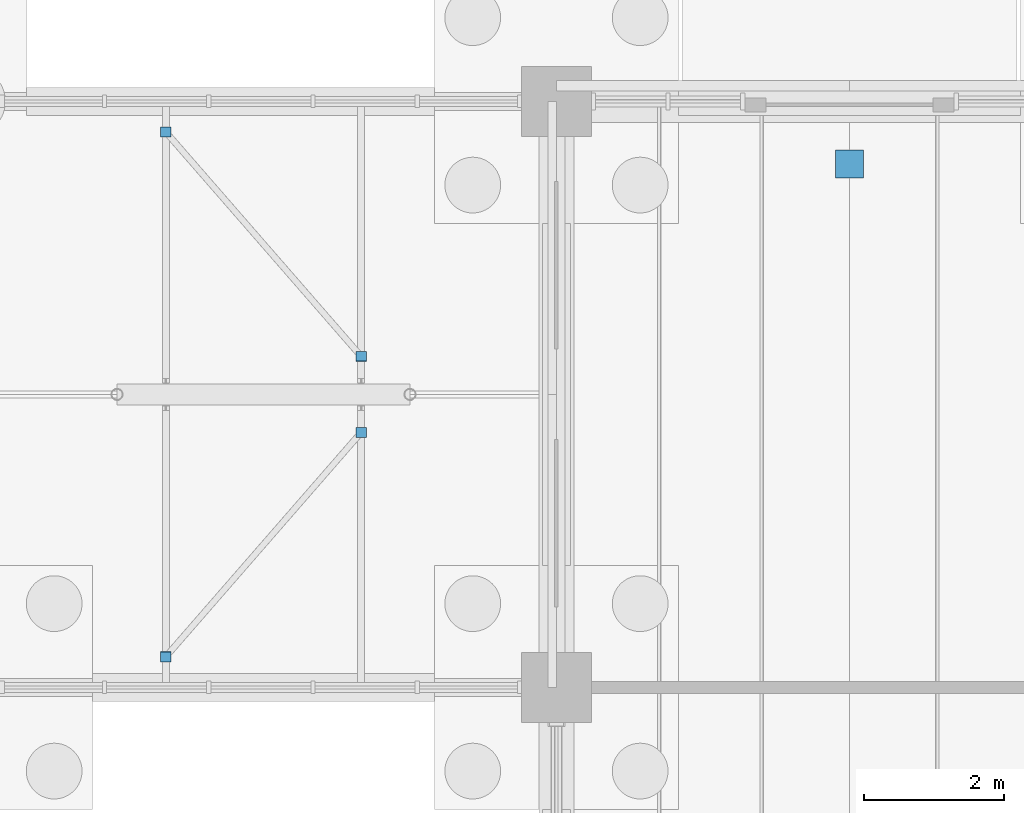
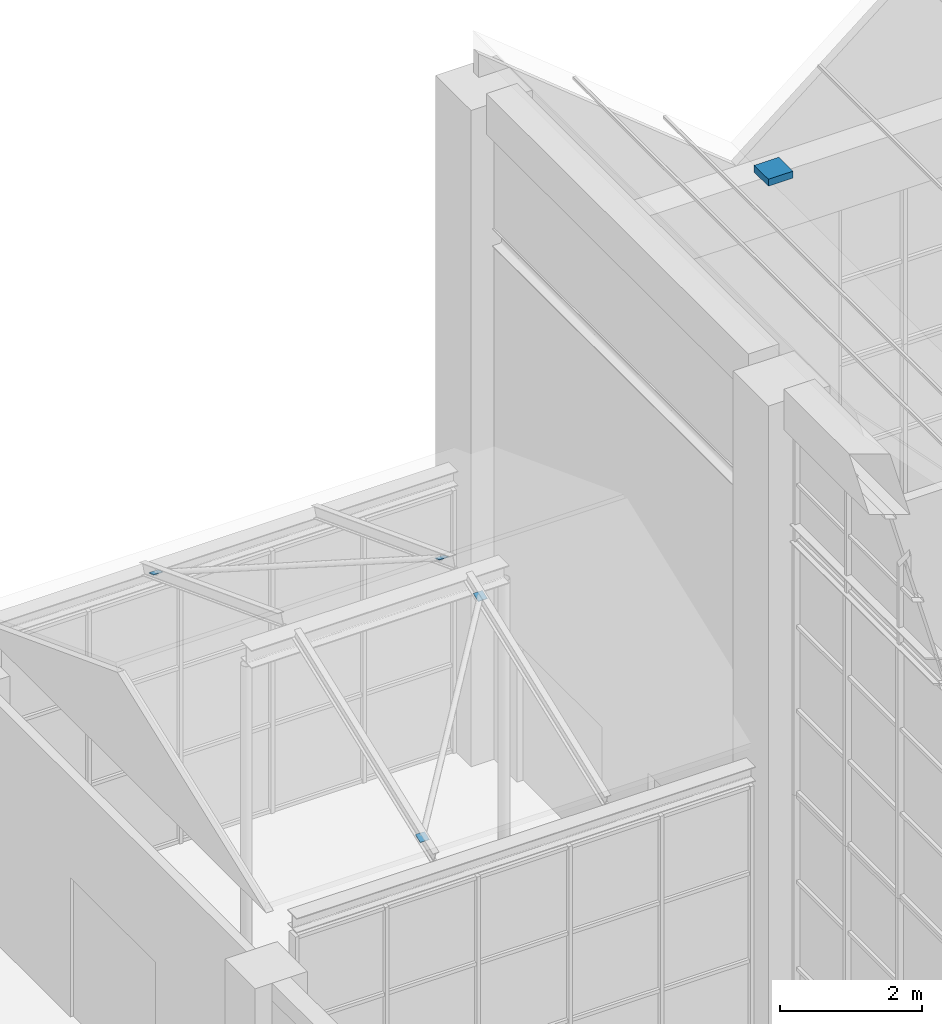
# One storey, part 128 of 138: 5 discrete accessories.
"""IFC4 building model written with IfcOpenShell, lengths in metres."""

from ifc_helpers import new_model, si_unit, direction, frame, origin, origin_2d, place, context, subcontext, project, spatial, rectangle, extrude, material, material_profile, profile_set, type_object, element, save


model = new_model("IFC4")

# Units and contexts
model_context = context("Model", 3, precision=1e-05, world=origin(), true_north=direction((0.0, 1.0)))
body_context = subcontext(model_context, "Body", "Model", "MODEL_VIEW")
ifc_project = project(units=[si_unit("LENGTHUNIT", "METRE"), si_unit("AREAUNIT", "SQUARE_METRE"), si_unit("VOLUMEUNIT", "CUBIC_METRE"), si_unit("PLANEANGLEUNIT", "RADIAN"), si_unit("MASSUNIT", "GRAM", prefix="KILO")], contexts=[model_context])

# Site, building, storey
site_placement = place(None, origin())
site = spatial("IfcSite", under=ifc_project, at=site_placement, CompositionType="ELEMENT")
building_placement = place(site_placement, origin())
building = spatial("IfcBuilding", under=site, at=building_placement, Name="Yavir Park General Hospital", CompositionType="ELEMENT")
storey_placement = place(building_placement, origin())
storey = spatial("IfcBuildingStorey", under=building, at=storey_placement, Name="L00", CompositionType="ELEMENT", Elevation=0.0)

# Discrete accessories
ifc_material_1 = material(Name="Steel S355", Category="steel")
ifc_material_profile = material_profile(ifc_material_1, rectangle(XDim=0.14990234375, YDim=0.14990234375, at=origin_2d()), Name="PL150x150")
ifc_profile_set = profile_set([ifc_material_profile], Name="Steel S355")
discrete_accessory_type_1 = type_object("IfcDiscreteAccessoryType", Name="Brace gusset plate 150 x 150 x 10", PredefinedType="BRACKET", material=ifc_profile_set)
for number, where, z_axis, x_axis, name in (
    (1, (70.0, 59.24072265625, 5.094970703125), (0.0, -0.337864753607, 0.941194670762), (1.0, 0.0, 0.0), "Link roof brace 1 gusset plate 1"),
    (2, (72.800048828125, 62.456298828125, 6.320068359375), (0.0, -0.367166534736, 0.930155221331), (1.0, 0.0, 0.0), "Link roof brace 1 gusset plate 2"),
    (3, (70.0, 66.75927734375, 5.094970703125), (0.0, 0.337864753607, 0.941194670762), (-1.0, 0.0, 0.0), "Link roof brace 2 gusset plate 1"),
    (4, (72.800048828125, 63.543701171875, 6.320068359375), (0.0, 0.367166534736, 0.930155221331), (-1.0, 0.0, 0.0), "Link roof brace 2 gusset plate 2"),
):
    element("IfcDiscreteAccessory", number, at=place(storey_placement, frame(where, z_axis=z_axis, x_axis=x_axis)), inside=storey, type_object=discrete_accessory_type_1, Name=name, PredefinedType="BRACKET", context=body_context, shape_type="SweptSolid", body=[
        extrude(rectangle(XDim=0.14990234375, YDim=0.14990234375, at=origin_2d()), origin(), (0.0, 0.0, 1.0), 0.010009765625),
    ])
ifc_material_2 = material(Name="Cast iron outlet with leaf guard")
discrete_accessory_type_2 = type_object("IfcDiscreteAccessoryType", Name="Roof outlet 400 x 400", PredefinedType="NOTDEFINED", material=ifc_material_2)
discrete_accessory_placement = place(storey_placement, frame((79.800048828125, 66.300048828125, 8.7939453125), z_axis=(0.0, 0.0, 1.0), x_axis=(1.0, 0.0, 0.0)))
element("IfcDiscreteAccessory", 5, at=discrete_accessory_placement, inside=storey, type_object=discrete_accessory_type_2, Name="Roof outlet HALL-F01.2", PredefinedType="NOTDEFINED", context=body_context, shape_type="SweptSolid", body=[
    extrude(rectangle(XDim=0.39990234375, YDim=0.39990234375, at=origin_2d()), origin(), (0.0, 0.0, 1.0), 0.1201171875),
])

save(model, "model.ifc")
